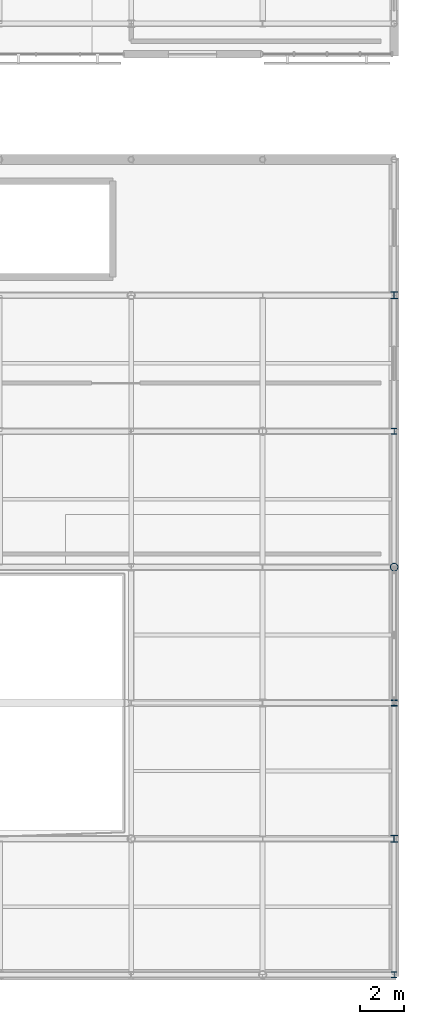
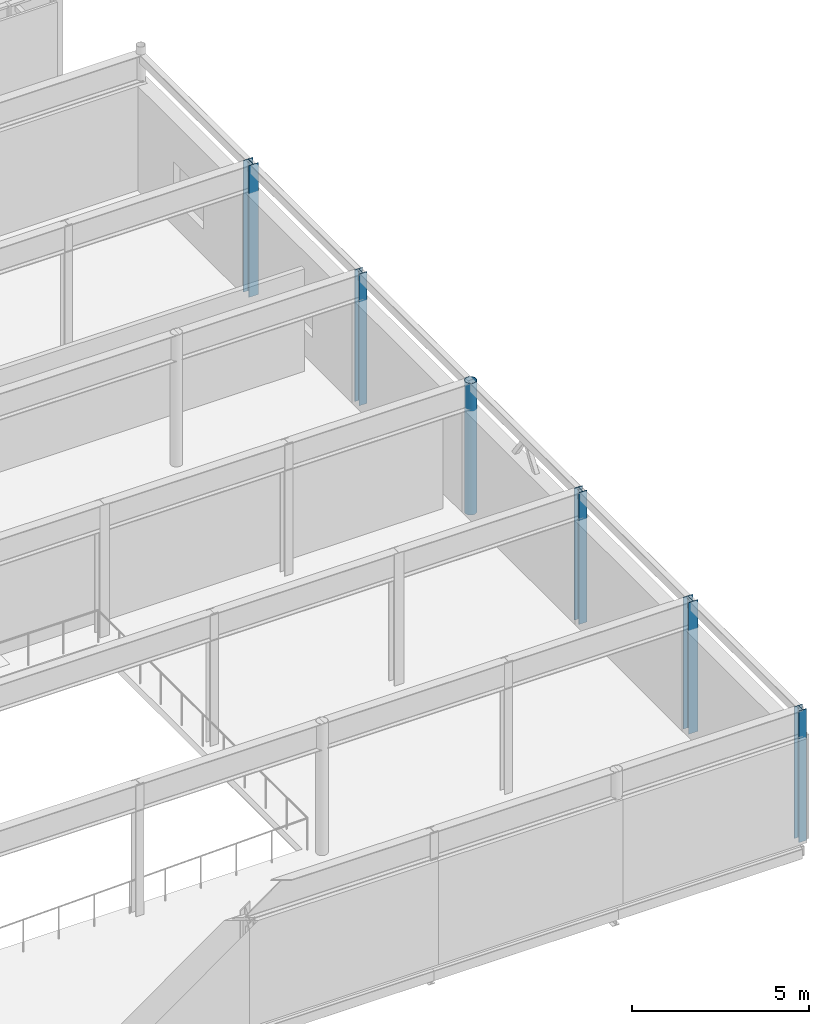
# One storey, part 12 of 84: 6 columns.
"""IFC4 building model written with IfcOpenShell, lengths in metres."""

from ifc_helpers import new_model, si_unit, direction, frame, origin, origin_2d, place, context, subcontext, project, spatial, hollow_circle, i_section, extrude, material, material_profile, profile_set, type_object, element, save


model = new_model("IFC4")

# Units and contexts
model_context = context("Model", 3, precision=1e-05, world=origin(), true_north=direction((0.0, 1.0)))
body_context = subcontext(model_context, "Body", "Model", "MODEL_VIEW")
ifc_project = project(units=[si_unit("LENGTHUNIT", "METRE"), si_unit("AREAUNIT", "SQUARE_METRE"), si_unit("VOLUMEUNIT", "CUBIC_METRE"), si_unit("PLANEANGLEUNIT", "RADIAN"), si_unit("MASSUNIT", "GRAM", prefix="KILO")], contexts=[model_context])

# Site, building, storey
site_placement = place(None, origin())
site = spatial("IfcSite", under=ifc_project, at=site_placement, CompositionType="ELEMENT")
building_placement = place(site_placement, origin())
building = spatial("IfcBuilding", under=site, at=building_placement, Name="Mirzam Square Science Centre", CompositionType="ELEMENT")
storey_placement = place(building_placement, frame((0.0, 0.0, 10.800048828125)))
storey = spatial("IfcBuildingStorey", under=building, at=storey_placement, Name="L02", CompositionType="ELEMENT", Elevation=10.800048828125)

# Columns
ifc_material = material(Name="Steel S355", Category="steel")
ifc_material_profile_1 = material_profile(ifc_material, hollow_circle(Radius=0.177734375, WallThickness=0.012451171875, at=origin_2d()), Name="355.6x12.5CHS")
ifc_profile_set_1 = profile_set([ifc_material_profile_1], Name="Steel S355")
column_type_1 = type_object("IfcColumnType", Name="COL-CHS355", PredefinedType="COLUMN", material=ifc_profile_set_1)
column_1_placement = place(storey_placement, frame((162.0, 18.60009765625, 0.0), z_axis=(0.0, 0.0, 1.0), x_axis=(1.0, 0.0, 0.0)))
element("IfcColumn", 1, at=column_1_placement, inside=storey, type_object=column_type_1, Name="L02 column G28-04", PredefinedType="COLUMN", context=body_context, shape_type="SweptSolid", body=[
    extrude(hollow_circle(Radius=0.177734375, WallThickness=0.012451171875, at=origin_2d()), origin(), (0.0, 0.0, 1.0), 4.530029296875),
])
ifc_material_profile_2 = material_profile(ifc_material, i_section(OverallWidth=0.25634765625, OverallDepth=0.26025390625, WebThickness=0.01025390625, FlangeThickness=0.017333984375, FilletRadius=0.0126953125, at=origin_2d()), Name="254x254x89UC")
ifc_profile_set_2 = profile_set([ifc_material_profile_2], Name="Steel S355")
column_type_2 = type_object("IfcColumnType", Name="COL-UC254A", PredefinedType="COLUMN", material=ifc_profile_set_2)
for number, where, z_axis, x_axis, name in (
    (2, (162.0, 0.0, 0.0), (0.0, 0.0, 1.0), (1.0, 0.0, 0.0), "L02 column G28-01"),
    (3, (162.0, 24.800048828125, 0.0), (0.0, 0.0, 1.0), (1.0, 0.0, 0.0), "L02 column G28-05"),
):
    element("IfcColumn", number, at=place(storey_placement, frame(where, z_axis=z_axis, x_axis=x_axis)), inside=storey, type_object=column_type_2, Name=name, PredefinedType="COLUMN", context=body_context, shape_type="SweptSolid", body=[
        extrude(i_section(OverallWidth=0.25634765625, OverallDepth=0.26025390625, WebThickness=0.01025390625, FlangeThickness=0.017333984375, FilletRadius=0.0126953125, at=origin_2d()), origin(), (0.0, 0.0, 1.0), 4.530029296875),
    ])
ifc_material_profile_3 = material_profile(ifc_material, i_section(OverallWidth=0.26123046875, OverallDepth=0.2763671875, WebThickness=0.015380859375, FlangeThickness=0.025390625, FilletRadius=0.0126953125, at=origin_2d()), Name="254x254x132UC")
ifc_profile_set_3 = profile_set([ifc_material_profile_3], Name="Steel S355")
column_type_3 = type_object("IfcColumnType", Name="COL-UC254B", PredefinedType="COLUMN", material=ifc_profile_set_3)
column_2_placement = place(storey_placement, frame((162.0, 12.39990234375, 0.0), z_axis=(0.0, 0.0, 1.0), x_axis=(1.0, 0.0, 0.0)))
element("IfcColumn", 4, at=column_2_placement, inside=storey, type_object=column_type_3, Name="L02 column G28-03", PredefinedType="COLUMN", context=body_context, shape_type="SweptSolid", body=[
    extrude(i_section(OverallWidth=0.26123046875, OverallDepth=0.2763671875, WebThickness=0.015380859375, FlangeThickness=0.025390625, FilletRadius=0.0126953125, at=origin_2d()), origin(), (0.0, 0.0, 1.0), 4.530029296875),
])
ifc_material_profile_4 = material_profile(ifc_material, i_section(OverallWidth=0.30908203125, OverallDepth=0.320556640625, WebThickness=0.013916015625, FlangeThickness=0.021728515625, FilletRadius=0.01513671875, at=origin_2d()), Name="305x305x137UC")
ifc_profile_set_4 = profile_set([ifc_material_profile_4], Name="Steel S355")
column_type_4 = type_object("IfcColumnType", Name="COL-UC305A", PredefinedType="COLUMN", material=ifc_profile_set_4)
for number, where, z_axis, x_axis, name in (
    (5, (162.0, 6.199951171875, 0.0), (0.0, 0.0, 1.0), (1.0, 0.0, 0.0), "L02 column G28-02"),
    (6, (162.0, 31.0, 0.0), (0.0, 0.0, 1.0), (1.0, 0.0, 0.0), "L02 column G28-06"),
):
    element("IfcColumn", number, at=place(storey_placement, frame(where, z_axis=z_axis, x_axis=x_axis)), inside=storey, type_object=column_type_4, Name=name, PredefinedType="COLUMN", context=body_context, shape_type="SweptSolid", body=[
        extrude(i_section(OverallWidth=0.30908203125, OverallDepth=0.320556640625, WebThickness=0.013916015625, FlangeThickness=0.021728515625, FilletRadius=0.01513671875, at=origin_2d()), origin(), (0.0, 0.0, 1.0), 4.530029296875),
    ])

save(model, "model.ifc")
